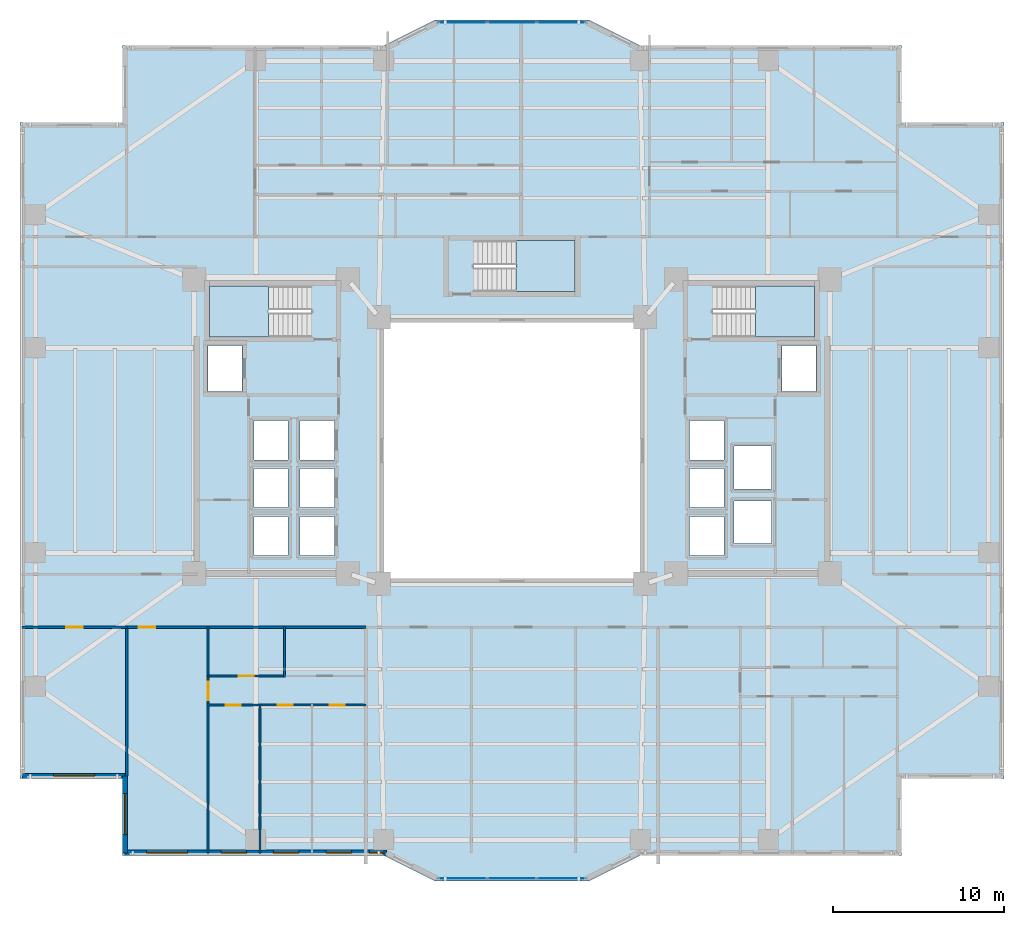
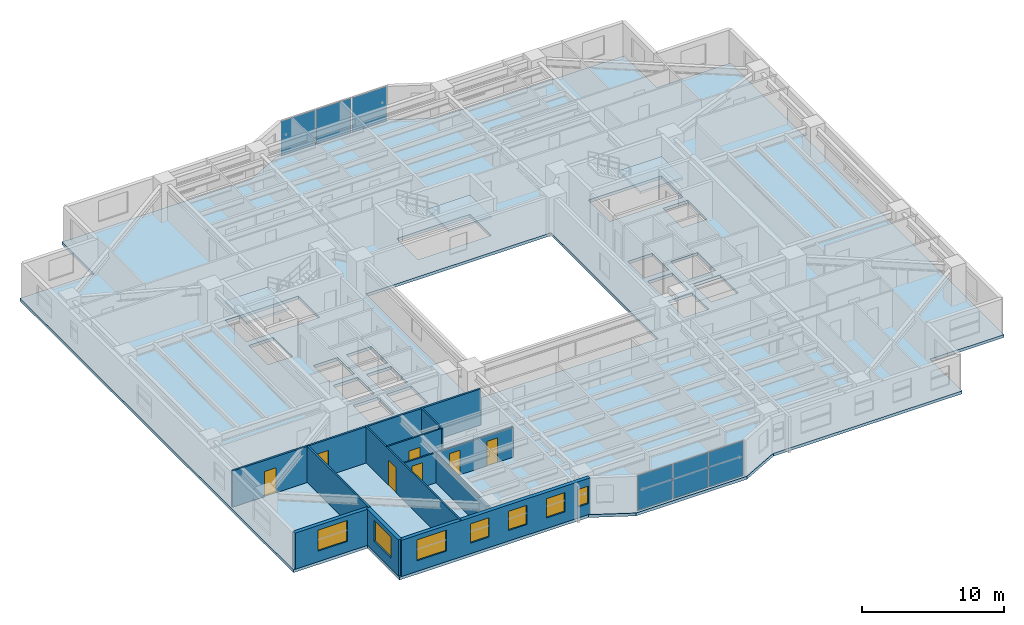
# One storey, part 9 of 20: 11 walls, 7 doors, 7 windows, 6 plates, 4 slabs, 14 openings, 5 elements without a shape of their own.
"""IFC4 building model written with IfcOpenShell, lengths in metres."""

from ifc_helpers import new_model, si_unit, direction, frame, frame_2d, origin, origin_2d, place, context, subcontext, project, spatial, polyline, rectangle, outline, extrude, material, layer, layer_set, type_object, element, fill, aggregate, save


model = new_model("IFC4")

# Units and contexts
model_context = context("Model", 3, precision=1e-05, world=origin(), true_north=direction((0.0, 1.0)))
body_context = subcontext(model_context, "Body", "Model", "MODEL_VIEW")
ifc_project = project(units=[si_unit("LENGTHUNIT", "METRE"), si_unit("AREAUNIT", "SQUARE_METRE"), si_unit("VOLUMEUNIT", "CUBIC_METRE"), si_unit("PLANEANGLEUNIT", "RADIAN"), si_unit("MASSUNIT", "GRAM", prefix="KILO")], contexts=[model_context])

# Site, building, storey
site_placement = place(None, origin())
site = spatial("IfcSite", under=ifc_project, at=site_placement, CompositionType="ELEMENT")
building_placement = place(site_placement, origin())
building = spatial("IfcBuilding", under=site, at=building_placement, Name="Tarnavaz Court Tower", CompositionType="ELEMENT")
storey_placement = place(building_placement, frame((0.0, 0.0, 30.699951171875)))
storey = spatial("IfcBuildingStorey", under=building, at=storey_placement, Name="L07", CompositionType="ELEMENT", Elevation=30.699951171875)

# Curtain wall, plates
ifc_material_1 = material(Name="Anodised Aluminium 6063-T6 and Solar Low-E Glazing", Category="aluminium")
ifc_layer_1 = layer(ifc_material_1, 0.179931640625)
ifc_layer_set_1 = layer_set([ifc_layer_1], Name="Anodised Aluminium 6063-T6 and Solar Low-E Glazing")
curtain_wall_type = type_object("IfcCurtainWallType", Name="CW-SYS-02", PredefinedType="NOTDEFINED", material=ifc_layer_set_1)
curtain_wall_1_placement = place(storey_placement, origin())
curtain_wall_1 = element("IfcCurtainWall", 1, at=curtain_wall_1_placement, inside=storey, type_object=curtain_wall_type, Name="L07 Iwan Prow Curtain Wall 7", PredefinedType="NOTDEFINED")
ifc_material_2 = material(Name="Double-Glazed Solar Low-E Glass", Category="glass")
ifc_layer_2 = layer(ifc_material_2, 0.028076171875)
ifc_layer_set_2 = layer_set([ifc_layer_2], Name="Double-Glazed Solar Low-E Glass")
plate_type = type_object("IfcPlateType", Name="CW-PAN-GLZ28", PredefinedType="CURTAIN_PANEL", material=ifc_layer_set_2)
plate_1_placement = place(storey_placement, frame((-2.88134765625, 25.050048828125, 0.06494140625), z_axis=(0.0, 0.0, 1.0), x_axis=(1.0, 0.0, 0.0)))
plate_1 = element("IfcPlate", 2, at=plate_1_placement, type_object=plate_type, Name="CW panel 1.1", PredefinedType="CURTAIN_PANEL", context=body_context, shape_type="SweptSolid", body=[
    extrude(rectangle(XDim=2.78759765625, YDim=0.028076171875, at=origin_2d()), origin(), (0.0, 0.0, 1.0), 2.969970703125),
])
plate_2_placement = place(storey_placement, frame((0.0, 25.050048828125, 0.06494140625), z_axis=(0.0, 0.0, 1.0), x_axis=(1.0, 0.0, 0.0)))
plate_2 = element("IfcPlate", 3, at=plate_2_placement, type_object=plate_type, Name="CW panel 2.1", PredefinedType="CURTAIN_PANEL", context=body_context, shape_type="SweptSolid", body=[
    extrude(rectangle(XDim=2.824951171875, YDim=0.028076171875, at=origin_2d()), origin(), (0.0, 0.0, 1.0), 2.969970703125),
])
plate_3_placement = place(storey_placement, frame((2.88134765625, 25.050048828125, 0.06494140625), z_axis=(0.0, 0.0, 1.0), x_axis=(1.0, 0.0, 0.0)))
plate_3 = element("IfcPlate", 4, at=plate_3_placement, type_object=plate_type, Name="CW panel 3.1", PredefinedType="CURTAIN_PANEL", context=body_context, shape_type="SweptSolid", body=[
    extrude(rectangle(XDim=2.78759765625, YDim=0.028076171875, at=origin_2d()), origin(), (0.0, 0.0, 1.0), 2.969970703125),
])
aggregate(curtain_wall_1, [plate_1, plate_2, plate_3])

curtain_wall_2_placement = place(storey_placement, origin())
curtain_wall_2 = element("IfcCurtainWall", 5, at=curtain_wall_2_placement, inside=storey, type_object=curtain_wall_type, Name="L07 Iwan Prow Curtain Wall 17", PredefinedType="NOTDEFINED")
plate_4_placement = place(storey_placement, frame((2.88134765625, -25.050048828125, 0.06494140625), z_axis=(0.0, 0.0, 1.0), x_axis=(-1.0, 0.0, 0.0)))
plate_4 = element("IfcPlate", 6, at=plate_4_placement, type_object=plate_type, Name="CW panel 1.1", PredefinedType="CURTAIN_PANEL", context=body_context, shape_type="SweptSolid", body=[
    extrude(rectangle(XDim=2.78759765625, YDim=0.028076171875, at=origin_2d()), origin(), (0.0, 0.0, 1.0), 2.969970703125),
])
plate_5_placement = place(storey_placement, frame((0.0, -25.050048828125, 0.06494140625), z_axis=(0.0, 0.0, 1.0), x_axis=(-1.0, 0.0, 0.0)))
plate_5 = element("IfcPlate", 7, at=plate_5_placement, type_object=plate_type, Name="CW panel 2.1", PredefinedType="CURTAIN_PANEL", context=body_context, shape_type="SweptSolid", body=[
    extrude(rectangle(XDim=2.824951171875, YDim=0.028076171875, at=origin_2d()), origin(), (0.0, 0.0, 1.0), 2.969970703125),
])
plate_6_placement = place(storey_placement, frame((-2.88134765625, -25.050048828125, 0.06494140625), z_axis=(0.0, 0.0, 1.0), x_axis=(-1.0, 0.0, 0.0)))
plate_6 = element("IfcPlate", 8, at=plate_6_placement, type_object=plate_type, Name="CW panel 3.1", PredefinedType="CURTAIN_PANEL", context=body_context, shape_type="SweptSolid", body=[
    extrude(rectangle(XDim=2.78759765625, YDim=0.028076171875, at=origin_2d()), origin(), (0.0, 0.0, 1.0), 2.969970703125),
])
aggregate(curtain_wall_2, [plate_4, plate_5, plate_6])

# Stair, slab
ifc_material_3 = material(Name="Concrete C40/50", Category="concrete")
stair_type = type_object("IfcStairType", Name="ST-TWR-20R", PredefinedType="HALF_TURN_STAIR", material=ifc_material_3)
stair_1_placement = place(storey_placement, origin())
stair_1 = element("IfcStair", 9, at=stair_1_placement, inside=storey, type_object=stair_type, Name="L07 West Core Pressurized Exit Stair ST-W1", PredefinedType="HALF_TURN_STAIR")
ifc_layer_3 = layer(ifc_material_3, 0.199951171875)
ifc_layer_set_3 = layer_set([ifc_layer_3], Name="Concrete C40/50")
slab_type_1 = type_object("IfcSlabType", Name="SL-LAND-200", PredefinedType="LANDING", material=ifc_layer_set_3)
slab_1_placement = place(storey_placement, frame((0.0, 0.0, 1.47509765625)))
slab_1 = element("IfcSlab", 10, at=slab_1_placement, type_object=slab_type_1, Name="ST-W1 landing 1", PredefinedType="LANDING", context=body_context, shape_type="SweptSolid", body=[
    extrude(outline(polyline([(-14.239990234375, 9.639892578125), (-17.699951171875, 9.639892578125), (-17.699951171875, 6.64990234375), (-14.239990234375, 6.64990234375), (-14.239990234375, 9.639892578125)])), origin(), (0.0, 0.0, 1.0), 0.199951171875),
])
aggregate(stair_1, [slab_1])

stair_2_placement = place(storey_placement, origin())
stair_2 = element("IfcStair", 11, at=stair_2_placement, inside=storey, type_object=stair_type, Name="L07 East Core Pressurized Exit Stair ST-E1", PredefinedType="HALF_TURN_STAIR")
slab_2_placement = place(storey_placement, frame((0.0, 0.0, 1.47509765625)))
slab_2 = element("IfcSlab", 12, at=slab_2_placement, type_object=slab_type_1, Name="ST-E1 landing 1", PredefinedType="LANDING", context=body_context, shape_type="SweptSolid", body=[
    extrude(outline(polyline([(14.239990234375, 6.64990234375), (17.699951171875, 6.64990234375), (17.699951171875, 9.639892578125), (14.239990234375, 9.639892578125), (14.239990234375, 6.64990234375)])), origin(), (0.0, 0.0, 1.0), 0.199951171875),
])
aggregate(stair_2, [slab_2])

stair_3_placement = place(storey_placement, origin())
stair_3 = element("IfcStair", 13, at=stair_3_placement, inside=storey, type_object=stair_type, Name="L07 North Ring Pressurized Exit Stair ST-N1", PredefinedType="HALF_TURN_STAIR")
slab_3_placement = place(storey_placement, frame((0.0, 0.0, 1.47509765625)))
slab_3 = element("IfcSlab", 14, at=slab_3_placement, type_object=slab_type_1, Name="ST-N1 landing 1", PredefinedType="LANDING", context=body_context, shape_type="SweptSolid", body=[
    extrude(outline(polyline([(0.239990234375, 9.300048828125), (3.699951171875, 9.300048828125), (3.699951171875, 12.2900390625), (0.239990234375, 12.2900390625), (0.239990234375, 9.300048828125)])), origin(), (0.0, 0.0, 1.0), 0.199951171875),
])
aggregate(stair_3, [slab_3])

# Slab
ifc_layer_4 = layer(ifc_material_3, 0.25)
ifc_layer_set_4 = layer_set([ifc_layer_4], Name="Concrete C40/50")
slab_type_2 = type_object("IfcSlabType", Name="SL-RES-250", PredefinedType="FLOOR", material=ifc_layer_set_4)
slab_4_placement = place(storey_placement, frame((0.0, 0.0, -0.25)))
element("IfcSlab", 15, at=slab_4_placement, inside=storey, type_object=slab_type_2, Name="L07 Structural Floor Slab", PredefinedType="FLOOR", context=body_context, shape_type="SweptSolid", body=[
    extrude(outline(polyline([(-22.800048828125, -23.699951171875), (-7.5, -23.699951171875), (-4.5, -25.199951171875), (4.5, -25.199951171875), (7.5, -23.699951171875), (22.800048828125, -23.699951171875), (22.800048828125, -19.199951171875), (28.800048828125, -19.199951171875), (28.800048828125, 19.199951171875), (22.800048828125, 19.199951171875), (22.800048828125, 23.699951171875), (7.5, 23.699951171875), (4.5, 25.199951171875), (-4.5, 25.199951171875), (-7.5, 23.699951171875), (-22.800048828125, 23.699951171875), (-22.800048828125, 19.199951171875), (-28.800048828125, 19.199951171875), (-28.800048828125, -19.199951171875), (-22.800048828125, -19.199951171875), (-22.800048828125, -23.699951171875)]), holes=[polyline([(-7.5, -7.5), (7.5, -7.5), (7.5, 7.5), (-7.5, 7.5), (-7.5, -7.5)]), polyline([(-11.7451171875, 9.639892578125), (-17.699951171875, 9.639892578125), (-17.699951171875, 6.64990234375), (-11.7451171875, 6.64990234375), (-11.7451171875, 9.639892578125)]), polyline([(11.7451171875, 6.64990234375), (17.699951171875, 6.64990234375), (17.699951171875, 9.639892578125), (11.7451171875, 9.639892578125), (11.7451171875, 6.64990234375)]), polyline([(-2.2548828125, 9.300048828125), (3.699951171875, 9.300048828125), (3.699951171875, 12.2900390625), (-2.2548828125, 12.2900390625), (-2.2548828125, 9.300048828125)]), polyline([(-17.800048828125, 3.449951171875), (-15.800048828125, 3.449951171875), (-15.800048828125, 6.14990234375), (-17.800048828125, 6.14990234375), (-17.800048828125, 3.449951171875)]), polyline([(-12.39990234375, -6.14990234375), (-10.39990234375, -6.14990234375), (-10.39990234375, -3.85009765625), (-12.39990234375, -3.85009765625), (-12.39990234375, -6.14990234375)]), polyline([(-12.39990234375, -3.35009765625), (-10.39990234375, -3.35009765625), (-10.39990234375, -1.050048828125), (-12.39990234375, -1.050048828125), (-12.39990234375, -3.35009765625)]), polyline([(-12.39990234375, -0.550048828125), (-10.39990234375, -0.550048828125), (-10.39990234375, 1.75), (-12.39990234375, 1.75), (-12.39990234375, -0.550048828125)]), polyline([(-15.10009765625, -6.14990234375), (-13.10009765625, -6.14990234375), (-13.10009765625, -3.85009765625), (-15.10009765625, -3.85009765625), (-15.10009765625, -6.14990234375)]), polyline([(-15.10009765625, -3.35009765625), (-13.10009765625, -3.35009765625), (-13.10009765625, -1.050048828125), (-15.10009765625, -1.050048828125), (-15.10009765625, -3.35009765625)]), polyline([(-15.10009765625, -0.550048828125), (-13.10009765625, -0.550048828125), (-13.10009765625, 1.75), (-15.10009765625, 1.75), (-15.10009765625, -0.550048828125)]), polyline([(15.800048828125, 3.449951171875), (17.800048828125, 3.449951171875), (17.800048828125, 6.14990234375), (15.800048828125, 6.14990234375), (15.800048828125, 3.449951171875)]), polyline([(10.39990234375, -6.14990234375), (12.39990234375, -6.14990234375), (12.39990234375, -3.85009765625), (10.39990234375, -3.85009765625), (10.39990234375, -6.14990234375)]), polyline([(10.39990234375, -3.35009765625), (12.39990234375, -3.35009765625), (12.39990234375, -1.050048828125), (10.39990234375, -1.050048828125), (10.39990234375, -3.35009765625)]), polyline([(10.39990234375, -0.550048828125), (12.39990234375, -0.550048828125), (12.39990234375, 1.75), (10.39990234375, 1.75), (10.39990234375, -0.550048828125)]), polyline([(13.0, -5.449951171875), (15.199951171875, -5.449951171875), (15.199951171875, -2.949951171875), (13.0, -2.949951171875), (13.0, -5.449951171875)]), polyline([(13.0, -2.25), (15.199951171875, -2.25), (15.199951171875, 0.25), (13.0, 0.25), (13.0, -2.25)])]), origin(), (0.0, 0.0, 1.0), 0.25),
])

# Wall, opening, window
ifc_material_4 = material(Name="Precast Concrete C40/50", Category="concrete")
ifc_layer_5 = layer(ifc_material_4, 0.300048828125)
ifc_layer_set_5 = layer_set([ifc_layer_5], Name="Precast Concrete C40/50")
wall_type_1 = type_object("IfcWallType", Name="WL-EXT-300", PredefinedType="SOLIDWALL", material=ifc_layer_set_5)
wall_1_placement = place(storey_placement, frame((-22.64990234375, -19.050048828125, 0.0), z_axis=(0.0, 0.0, 1.0), x_axis=(-1.0, 0.0, 0.0)))
wall_1 = element("IfcWall", 16, at=wall_1_placement, inside=storey, type_object=wall_type_1, Name="L07 Exterior Terracotta Facade Wall 01", PredefinedType="SOLIDWALL", context=body_context, shape_type="SweptSolid", body=[
    extrude(rectangle(XDim=6.0, YDim=0.300048828125, at=frame_2d((3.0, 0.0))), origin(), (0.0, 0.0, 1.0), 3.10009765625),
])
opening_1_placement = place(wall_1_placement, frame((1.77490234375, 0.0, 0.89990234375)))
opening_1 = element("IfcOpeningElement", 17, at=opening_1_placement, cuts=wall_1, Name="Opening W06", PredefinedType="OPENING", context=body_context, shape_type="SweptSolid", body=[
    extrude(rectangle(XDim=2.39990234375, YDim=1.800048828125, at=frame_2d((1.199951171875, 0.89990234375))), frame((0.0, 0.159912109375, 0.0), z_axis=(0.0, -1.0, 0.0), x_axis=(1.0, 0.0, 0.0)), (0.0, 0.0, 1.0), 0.320068359375),
])
window_type_1 = type_object("IfcWindowType", Name="WN-APT-2400", PartitioningType="TRIPLE_PANEL_VERTICAL", PredefinedType="WINDOW", material=ifc_material_2)
window_1_placement = place(opening_1_placement, origin())
window_1 = element("IfcWindow", 18, at=window_1_placement, inside=storey, type_object=window_type_1, Name="L07 South-West Corner Reading Room Window", OverallHeight=1.800048828125, OverallWidth=2.39990234375, PartitioningType="SINGLE_PANEL", PredefinedType="WINDOW", context=body_context, shape_type="SweptSolid", body=[
    extrude(rectangle(XDim=2.39990234375, YDim=1.800048828125, at=frame_2d((1.199951171875, 0.89990234375))), frame((0.0, 0.030029296875, 0.0), z_axis=(0.0, -1.0, 0.0), x_axis=(1.0, 0.0, 0.0)), (0.0, 0.0, 1.0), 0.06005859375),
])
fill(opening_1, window_1)

# Wall, openings, windows
wall_2_placement = place(storey_placement, frame((-7.35009765625, -23.550048828125, 0.0), z_axis=(0.0, 0.0, 1.0), x_axis=(-1.0, 0.0, 0.0)))
wall_2 = element("IfcWall", 19, at=wall_2_placement, inside=storey, type_object=wall_type_1, Name="L07 Exterior Terracotta Facade Wall 19", PredefinedType="SOLIDWALL", context=body_context, shape_type="SweptSolid", body=[
    extrude(rectangle(XDim=15.2998046875, YDim=0.300048828125, at=frame_2d((7.64990234375, 0.0))), origin(), (0.0, 0.0, 1.0), 3.10009765625),
])
opening_2_placement = place(wall_2_placement, frame((0.146728515625, 0.0, 0.949951171875)))
opening_2 = element("IfcOpeningElement", 20, at=opening_2_placement, cuts=wall_2, Name="Opening W15", PredefinedType="OPENING", context=body_context, shape_type="SweptSolid", body=[
    extrude(rectangle(XDim=0.85009765625, YDim=1.5, at=frame_2d((0.425048828125, 0.75))), frame((0.0, 0.159912109375, 0.0), z_axis=(0.0, -1.0, 0.0), x_axis=(1.0, 0.0, 0.0)), (0.0, 0.0, 1.0), 0.320068359375),
])
opening_3_placement = place(wall_2_placement, frame((2.0341796875, 0.0, 0.89990234375)))
opening_3 = element("IfcOpeningElement", 21, at=opening_3_placement, cuts=wall_2, Name="Opening W03", PredefinedType="OPENING", context=body_context, shape_type="SweptSolid", body=[
    extrude(rectangle(XDim=1.5, YDim=1.64990234375, at=frame_2d((0.75, 0.824951171875))), frame((0.0, 0.159912109375, 0.0), z_axis=(0.0, -1.0, 0.0), x_axis=(1.0, 0.0, 0.0)), (0.0, 0.0, 1.0), 0.320068359375),
])
opening_4_placement = place(wall_2_placement, frame((5.119140625, 0.0, 0.89990234375)))
opening_4 = element("IfcOpeningElement", 22, at=opening_4_placement, cuts=wall_2, Name="Opening W03", PredefinedType="OPENING", context=body_context, shape_type="SweptSolid", body=[
    extrude(rectangle(XDim=1.5, YDim=1.64990234375, at=frame_2d((0.75, 0.824951171875))), frame((0.0, 0.159912109375, 0.0), z_axis=(0.0, -1.0, 0.0), x_axis=(1.0, 0.0, 0.0)), (0.0, 0.0, 1.0), 0.320068359375),
])
opening_5_placement = place(wall_2_placement, frame((8.17919921875, 0.0, 0.89990234375)))
opening_5 = element("IfcOpeningElement", 23, at=opening_5_placement, cuts=wall_2, Name="Opening W03", PredefinedType="OPENING", context=body_context, shape_type="SweptSolid", body=[
    extrude(rectangle(XDim=1.5, YDim=1.64990234375, at=frame_2d((0.75, 0.824951171875))), frame((0.0, 0.159912109375, 0.0), z_axis=(0.0, -1.0, 0.0), x_axis=(1.0, 0.0, 0.0)), (0.0, 0.0, 1.0), 0.320068359375),
])
opening_6_placement = place(wall_2_placement, frame((11.64208984375, 0.0, 0.89990234375)))
opening_6 = element("IfcOpeningElement", 24, at=opening_6_placement, cuts=wall_2, Name="Opening W06", PredefinedType="OPENING", context=body_context, shape_type="SweptSolid", body=[
    extrude(rectangle(XDim=2.39990234375, YDim=1.800048828125, at=frame_2d((1.199951171875, 0.89990234375))), frame((0.0, 0.159912109375, 0.0), z_axis=(0.0, -1.0, 0.0), x_axis=(1.0, 0.0, 0.0)), (0.0, 0.0, 1.0), 0.320068359375),
])
window_type_2 = type_object("IfcWindowType", Name="WN-APT-1500", PartitioningType="DOUBLE_PANEL_VERTICAL", PredefinedType="WINDOW", material=ifc_material_2)
window_2_placement = place(opening_3_placement, origin())
window_2 = element("IfcWindow", 25, at=window_2_placement, inside=storey, type_object=window_type_2, Name="L07 Flat 03 Bedroom 3 Window", OverallHeight=1.64990234375, OverallWidth=1.5, PartitioningType="SINGLE_PANEL", PredefinedType="WINDOW", context=body_context, shape_type="SweptSolid", body=[
    extrude(rectangle(XDim=1.5, YDim=1.64990234375, at=frame_2d((0.75, 0.824951171875))), frame((0.0, 0.030029296875, 0.0), z_axis=(0.0, -1.0, 0.0), x_axis=(1.0, 0.0, 0.0)), (0.0, 0.0, 1.0), 0.06005859375),
])
fill(opening_3, window_2)
window_3_placement = place(opening_4_placement, origin())
window_3 = element("IfcWindow", 26, at=window_3_placement, inside=storey, type_object=window_type_2, Name="L07 Flat 03 Bedroom 2 Window", OverallHeight=1.64990234375, OverallWidth=1.5, PartitioningType="SINGLE_PANEL", PredefinedType="WINDOW", context=body_context, shape_type="SweptSolid", body=[
    extrude(rectangle(XDim=1.5, YDim=1.64990234375, at=frame_2d((0.75, 0.824951171875))), frame((0.0, 0.030029296875, 0.0), z_axis=(0.0, -1.0, 0.0), x_axis=(1.0, 0.0, 0.0)), (0.0, 0.0, 1.0), 0.06005859375),
])
fill(opening_4, window_3)
window_4_placement = place(opening_5_placement, origin())
window_4 = element("IfcWindow", 27, at=window_4_placement, inside=storey, type_object=window_type_2, Name="L07 Flat 03 Principal Bedroom Window", OverallHeight=1.64990234375, OverallWidth=1.5, PartitioningType="SINGLE_PANEL", PredefinedType="WINDOW", context=body_context, shape_type="SweptSolid", body=[
    extrude(rectangle(XDim=1.5, YDim=1.64990234375, at=frame_2d((0.75, 0.824951171875))), frame((0.0, 0.030029296875, 0.0), z_axis=(0.0, -1.0, 0.0), x_axis=(1.0, 0.0, 0.0)), (0.0, 0.0, 1.0), 0.06005859375),
])
fill(opening_5, window_4)
window_5_placement = place(opening_6_placement, origin())
window_5 = element("IfcWindow", 28, at=window_5_placement, inside=storey, type_object=window_type_1, Name="L07 Flat 03 Living and Dining Room Window", OverallHeight=1.800048828125, OverallWidth=2.39990234375, PartitioningType="SINGLE_PANEL", PredefinedType="WINDOW", context=body_context, shape_type="SweptSolid", body=[
    extrude(rectangle(XDim=2.39990234375, YDim=1.800048828125, at=frame_2d((1.199951171875, 0.89990234375))), frame((0.0, 0.030029296875, 0.0), z_axis=(0.0, -1.0, 0.0), x_axis=(1.0, 0.0, 0.0)), (0.0, 0.0, 1.0), 0.06005859375),
])
fill(opening_6, window_5)
window_type_3 = type_object("IfcWindowType", Name="WN-APT-850", PartitioningType="SINGLE_PANEL", PredefinedType="WINDOW", material=ifc_material_2)
window_6_placement = place(opening_2_placement, origin())
window_6 = element("IfcWindow", 29, at=window_6_placement, inside=storey, type_object=window_type_3, Name="L07 Resident Fitness and Yoga Studio Window", OverallHeight=1.5, OverallWidth=0.85009765625, PartitioningType="SINGLE_PANEL", PredefinedType="WINDOW", context=body_context, shape_type="SweptSolid", body=[
    extrude(rectangle(XDim=0.85009765625, YDim=1.5, at=frame_2d((0.425048828125, 0.75))), frame((0.0, 0.030029296875, 0.0), z_axis=(0.0, -1.0, 0.0), x_axis=(1.0, 0.0, 0.0)), (0.0, 0.0, 1.0), 0.06005859375),
])
fill(opening_2, window_6)

# Wall, opening, window
wall_3_placement = place(storey_placement, frame((-22.64990234375, -23.550048828125, 0.0), z_axis=(0.0, 0.0, 1.0), x_axis=(0.0, 1.0, 0.0)))
wall_3 = element("IfcWall", 30, at=wall_3_placement, inside=storey, type_object=wall_type_1, Name="L07 Exterior Terracotta Facade Wall 20", PredefinedType="SOLIDWALL", context=body_context, shape_type="SweptSolid", body=[
    extrude(rectangle(XDim=4.5, YDim=0.300048828125, at=frame_2d((2.25, 0.0))), origin(), (0.0, 0.0, 1.0), 3.10009765625),
])
opening_7_placement = place(wall_3_placement, frame((1.0673828125, 0.0, 0.89990234375)))
opening_7 = element("IfcOpeningElement", 31, at=opening_7_placement, cuts=wall_3, Name="Opening W06", PredefinedType="OPENING", context=body_context, shape_type="SweptSolid", body=[
    extrude(rectangle(XDim=2.39990234375, YDim=1.800048828125, at=frame_2d((1.199951171875, 0.89990234375))), frame((0.0, 0.159912109375, 0.0), z_axis=(0.0, -1.0, 0.0), x_axis=(1.0, 0.0, 0.0)), (0.0, 0.0, 1.0), 0.320068359375),
])
window_7_placement = place(opening_7_placement, origin())
window_7 = element("IfcWindow", 32, at=window_7_placement, inside=storey, type_object=window_type_1, Name="L07 Flat 03 Living and Dining Room Window", OverallHeight=1.800048828125, OverallWidth=2.39990234375, PartitioningType="SINGLE_PANEL", PredefinedType="WINDOW", context=body_context, shape_type="SweptSolid", body=[
    extrude(rectangle(XDim=2.39990234375, YDim=1.800048828125, at=frame_2d((1.199951171875, 0.89990234375))), frame((0.0, 0.030029296875, 0.0), z_axis=(0.0, -1.0, 0.0), x_axis=(1.0, 0.0, 0.0)), (0.0, 0.0, 1.0), 0.06005859375),
])
fill(opening_7, window_7)

# Wall, opening, door
ifc_material_5 = material(Name="Gypsum Fire-Board on Acoustic Metal Stud", Category="masonry")
ifc_layer_6 = layer(ifc_material_5, 0.14990234375)
ifc_layer_set_6 = layer_set([ifc_layer_6], Name="Gypsum Fire-Board on Acoustic Metal Stud")
wall_type_2 = type_object("IfcWallType", Name="WL-FIRE-150", PredefinedType="PARTITIONING", material=ifc_layer_set_6)
wall_4_placement = place(storey_placement, frame((-22.550048828125, -10.35009765625, 0.0), z_axis=(0.0, 0.0, 1.0), x_axis=(1.0, 0.0, 0.0)))
wall_4 = element("IfcWall", 33, at=wall_4_placement, inside=storey, type_object=wall_type_2, Name="L07 SW Corridor Wall 084", PredefinedType="PARTITIONING", context=body_context, shape_type="SweptSolid", body=[
    extrude(rectangle(XDim=14.0, YDim=0.14990234375, at=frame_2d((7.0, 0.0))), origin(), (0.0, 0.0, 1.0), 3.10009765625),
])
opening_8_placement = place(wall_4_placement, frame((0.699951171875, 0.0, 0.0)))
opening_8 = element("IfcOpeningElement", 34, at=opening_8_placement, cuts=wall_4, Name="Opening D06", PredefinedType="OPENING", context=body_context, shape_type="SweptSolid", body=[
    extrude(rectangle(XDim=0.9599609375, YDim=2.14990234375, at=frame_2d((0.47998046875, 1.074951171875))), frame((0.0, 0.0849609375, 0.0), z_axis=(0.0, -1.0, 0.0), x_axis=(1.0, 0.0, 0.0)), (0.0, 0.0, 1.0), 0.169921875),
])
ifc_material_6 = material(Name="Fire-Rated Hardwood Timber Core", Category="wood")
door_type_1 = type_object("IfcDoorType", Name="DR-FD60-950", OperationType="NOTDEFINED", PredefinedType="DOOR", material=ifc_material_6)
door_1_placement = place(opening_8_placement, origin())
door_1 = element("IfcDoor", 35, at=door_1_placement, inside=storey, type_object=door_type_1, Name="L07 Flat 03 Entrance Door", OperationType="SINGLE_SWING_RIGHT", OverallHeight=2.14990234375, OverallWidth=0.9599609375, PredefinedType="DOOR", context=body_context, shape_type="SweptSolid", body=[
    extrude(rectangle(XDim=0.9599609375, YDim=2.14990234375, at=frame_2d((0.47998046875, 1.074951171875))), frame((0.0, 0.02490234375, 0.0), z_axis=(0.0, -1.0, 0.0), x_axis=(1.0, 0.0, 0.0)), (0.0, 0.0, 1.0), 0.050048828125),
])
fill(opening_8, door_1)

wall_5_placement = place(storey_placement, frame((-28.679931640625, -10.35009765625, 0.0), z_axis=(0.0, 0.0, 1.0), x_axis=(1.0, 0.0, 0.0)))
wall_5 = element("IfcWall", 36, at=wall_5_placement, inside=storey, type_object=wall_type_2, Name="L07 Interior Partition 131", PredefinedType="PARTITIONING", context=body_context, shape_type="SweptSolid", body=[
    extrude(rectangle(XDim=6.1298828125, YDim=0.14990234375, at=frame_2d((3.06494140625, 0.0))), origin(), (0.0, 0.0, 1.0), 3.10009765625),
])
opening_9_placement = place(wall_5_placement, frame((2.590087890625, 0.0, 0.0)))
opening_9 = element("IfcOpeningElement", 37, at=opening_9_placement, cuts=wall_5, Name="Opening D13", PredefinedType="OPENING", context=body_context, shape_type="SweptSolid", body=[
    extrude(rectangle(XDim=0.949951171875, YDim=2.14990234375, at=frame_2d((0.47509765625, 1.074951171875))), frame((0.0, 0.0849609375, 0.0), z_axis=(0.0, -1.0, 0.0), x_axis=(1.0, 0.0, 0.0)), (0.0, 0.0, 1.0), 0.169921875),
])
ifc_material_7 = material(Name="Engineered Oak Timber", Category="wood")
door_type_2 = type_object("IfcDoorType", Name="DR-INT-950", OperationType="NOTDEFINED", PredefinedType="DOOR", material=ifc_material_7)
door_2_placement = place(opening_9_placement, origin())
door_2 = element("IfcDoor", 38, at=door_2_placement, inside=storey, type_object=door_type_2, Name="L07 SW Reading Room Door", OperationType="SINGLE_SWING_LEFT", OverallHeight=2.14990234375, OverallWidth=0.949951171875, PredefinedType="DOOR", context=body_context, shape_type="SweptSolid", body=[
    extrude(rectangle(XDim=0.949951171875, YDim=2.14990234375, at=frame_2d((0.47509765625, 1.074951171875))), frame((0.0, 0.02490234375, 0.0), z_axis=(0.0, -1.0, 0.0), x_axis=(1.0, 0.0, 0.0)), (0.0, 0.0, 1.0), 0.050048828125),
])
fill(opening_9, door_2)

ifc_material_8 = material(Name="Moisture-Resistant Gypsum Board Partition", Category="masonry")
ifc_layer_7 = layer(ifc_material_8, 0.1201171875)
ifc_layer_set_7 = layer_set([ifc_layer_7], Name="Moisture-Resistant Gypsum Board Partition")
wall_type_3 = type_object("IfcWallType", Name="WL-PART-120", PredefinedType="PARTITIONING", material=ifc_layer_set_7)
wall_6_placement = place(storey_placement, frame((-17.7880859375, -23.60009765625, 0.0), z_axis=(0.0, 0.0, 1.0), x_axis=(0.0, 1.0, 0.0)))
wall_6 = element("IfcWall", 39, at=wall_6_placement, inside=storey, type_object=wall_type_3, Name="L07 Interior Partition 103", PredefinedType="PARTITIONING", context=body_context, shape_type="SweptSolid", body=[
    extrude(rectangle(XDim=13.31005859375, YDim=0.1201171875, at=frame_2d((6.655029296875, 0.0))), origin(), (0.0, 0.0, 1.0), 3.10009765625),
])
opening_10_placement = place(wall_6_placement, frame((8.97509765625, 0.0, 0.0)))
opening_10 = element("IfcOpeningElement", 40, at=opening_10_placement, cuts=wall_6, Name="Opening D12", PredefinedType="OPENING", context=body_context, shape_type="SweptSolid", body=[
    extrude(rectangle(XDim=1.080078125, YDim=2.14990234375, at=frame_2d((0.5400390625, 1.074951171875))), frame((0.0, 0.070068359375, 0.0), z_axis=(0.0, -1.0, 0.0), x_axis=(1.0, 0.0, 0.0)), (0.0, 0.0, 1.0), 0.14013671875),
])
door_type_3 = type_object("IfcDoorType", Name="DR-INT-1100", OperationType="NOTDEFINED", PredefinedType="DOOR", material=ifc_material_7)
door_3_placement = place(opening_10_placement, origin())
door_3 = element("IfcDoor", 41, at=door_3_placement, inside=storey, type_object=door_type_3, Name="L07 Flat 03 Foyer Door", OperationType="SINGLE_SWING_LEFT", OverallHeight=2.14990234375, OverallWidth=1.080078125, PredefinedType="DOOR", context=body_context, shape_type="SweptSolid", body=[
    extrude(rectangle(XDim=1.080078125, YDim=2.14990234375, at=frame_2d((0.5400390625, 1.074951171875))), frame((0.0, 0.02490234375, 0.0), z_axis=(0.0, -1.0, 0.0), x_axis=(1.0, 0.0, 0.0)), (0.0, 0.0, 1.0), 0.050048828125),
])
fill(opening_10, door_3)

wall_7_placement = place(storey_placement, frame((-17.7880859375, -13.199951171875, 0.0), z_axis=(0.0, 0.0, 1.0), x_axis=(1.0, 0.0, 0.0)))
wall_7 = element("IfcWall", 42, at=wall_7_placement, inside=storey, type_object=wall_type_3, Name="L07 Interior Partition 104", PredefinedType="PARTITIONING", context=body_context, shape_type="SweptSolid", body=[
    extrude(rectangle(XDim=4.47314453125, YDim=0.1201171875, at=frame_2d((2.236572265625, 0.0))), origin(), (0.0, 0.0, 1.0), 3.10009765625),
])
opening_11_placement = place(wall_7_placement, frame((1.797119140625, 0.0, 0.0)))
opening_11 = element("IfcOpeningElement", 43, at=opening_11_placement, cuts=wall_7, Name="Opening D14", PredefinedType="OPENING", context=body_context, shape_type="SweptSolid", body=[
    extrude(rectangle(XDim=0.8798828125, YDim=2.10009765625, at=frame_2d((0.43994140625, 1.050048828125))), frame((0.0, 0.070068359375, 0.0), z_axis=(0.0, -1.0, 0.0), x_axis=(1.0, 0.0, 0.0)), (0.0, 0.0, 1.0), 0.14013671875),
])
door_type_4 = type_object("IfcDoorType", Name="DR-INT-900", OperationType="NOTDEFINED", PredefinedType="DOOR", material=ifc_material_7)
door_4_placement = place(opening_11_placement, origin())
door_4 = element("IfcDoor", 44, at=door_4_placement, inside=storey, type_object=door_type_4, Name="L07 Flat 03 Kitchen Door", OperationType="SINGLE_SWING_RIGHT", OverallHeight=2.10009765625, OverallWidth=0.8798828125, PredefinedType="DOOR", context=body_context, shape_type="SweptSolid", body=[
    extrude(rectangle(XDim=0.8798828125, YDim=2.10009765625, at=frame_2d((0.43994140625, 1.050048828125))), frame((0.0, 0.02490234375, 0.0), z_axis=(0.0, -1.0, 0.0), x_axis=(1.0, 0.0, 0.0)), (0.0, 0.0, 1.0), 0.050048828125),
])
fill(opening_11, door_4)

# Wall, openings, doors
wall_8_placement = place(storey_placement, frame((-17.847900390625, -14.909912109375, 0.0), z_axis=(0.0, 0.0, 1.0), x_axis=(1.0, 0.0, 0.0)))
wall_8 = element("IfcWall", 45, at=wall_8_placement, inside=storey, type_object=wall_type_3, Name="L07 Interior Partition 106", PredefinedType="PARTITIONING", context=body_context, shape_type="SweptSolid", body=[
    extrude(rectangle(XDim=9.307861328125, YDim=0.1201171875, at=frame_2d((4.65380859375, 0.0))), origin(), (0.0, 0.0, 1.0), 2.5849609375),
])
opening_12_placement = place(wall_8_placement, frame((1.0810546875, 0.0, 0.0)))
opening_12 = element("IfcOpeningElement", 46, at=opening_12_placement, cuts=wall_8, Name="Opening D14", PredefinedType="OPENING", context=body_context, shape_type="SweptSolid", body=[
    extrude(rectangle(XDim=0.8798828125, YDim=2.10009765625, at=frame_2d((0.43994140625, 1.050048828125))), frame((0.0, 0.070068359375, 0.0), z_axis=(0.0, -1.0, 0.0), x_axis=(1.0, 0.0, 0.0)), (0.0, 0.0, 1.0), 0.14013671875),
])
opening_13_placement = place(wall_8_placement, frame((4.1240234375, 0.0, 0.0)))
opening_13 = element("IfcOpeningElement", 47, at=opening_13_placement, cuts=wall_8, Name="Opening D14", PredefinedType="OPENING", context=body_context, shape_type="SweptSolid", body=[
    extrude(rectangle(XDim=0.8798828125, YDim=2.10009765625, at=frame_2d((0.43994140625, 1.050048828125))), frame((0.0, 0.070068359375, 0.0), z_axis=(0.0, -1.0, 0.0), x_axis=(1.0, 0.0, 0.0)), (0.0, 0.0, 1.0), 0.14013671875),
])
opening_14_placement = place(wall_8_placement, frame((7.1669921875, 0.0, 0.0)))
opening_14 = element("IfcOpeningElement", 48, at=opening_14_placement, cuts=wall_8, Name="Opening D14", PredefinedType="OPENING", context=body_context, shape_type="SweptSolid", body=[
    extrude(rectangle(XDim=0.8798828125, YDim=2.10009765625, at=frame_2d((0.43994140625, 1.050048828125))), frame((0.0, 0.070068359375, 0.0), z_axis=(0.0, -1.0, 0.0), x_axis=(1.0, 0.0, 0.0)), (0.0, 0.0, 1.0), 0.14013671875),
])
door_5_placement = place(opening_12_placement, origin())
door_5 = element("IfcDoor", 49, at=door_5_placement, inside=storey, type_object=door_type_4, Name="L07 Flat 03 Bedroom 1 Door", OperationType="SINGLE_SWING_RIGHT", OverallHeight=2.10009765625, OverallWidth=0.8798828125, PredefinedType="DOOR", context=body_context, shape_type="SweptSolid", body=[
    extrude(rectangle(XDim=0.8798828125, YDim=2.10009765625, at=frame_2d((0.43994140625, 1.050048828125))), frame((0.0, 0.02490234375, 0.0), z_axis=(0.0, -1.0, 0.0), x_axis=(1.0, 0.0, 0.0)), (0.0, 0.0, 1.0), 0.050048828125),
])
fill(opening_12, door_5)
door_6_placement = place(opening_13_placement, origin())
door_6 = element("IfcDoor", 50, at=door_6_placement, inside=storey, type_object=door_type_4, Name="L07 Flat 03 Bedroom 2 Door", OperationType="SINGLE_SWING_LEFT", OverallHeight=2.10009765625, OverallWidth=0.8798828125, PredefinedType="DOOR", context=body_context, shape_type="SweptSolid", body=[
    extrude(rectangle(XDim=0.8798828125, YDim=2.10009765625, at=frame_2d((0.43994140625, 1.050048828125))), frame((0.0, 0.02490234375, 0.0), z_axis=(0.0, -1.0, 0.0), x_axis=(1.0, 0.0, 0.0)), (0.0, 0.0, 1.0), 0.050048828125),
])
fill(opening_13, door_6)
door_7_placement = place(opening_14_placement, origin())
door_7 = element("IfcDoor", 51, at=door_7_placement, inside=storey, type_object=door_type_4, Name="L07 Flat 03 Bedroom 3 Door", OperationType="SINGLE_SWING_RIGHT", OverallHeight=2.10009765625, OverallWidth=0.8798828125, PredefinedType="DOOR", context=body_context, shape_type="SweptSolid", body=[
    extrude(rectangle(XDim=0.8798828125, YDim=2.10009765625, at=frame_2d((0.43994140625, 1.050048828125))), frame((0.0, 0.02490234375, 0.0), z_axis=(0.0, -1.0, 0.0), x_axis=(1.0, 0.0, 0.0)), (0.0, 0.0, 1.0), 0.050048828125),
])
fill(opening_14, door_7)

# Walls
wall_9_placement = place(storey_placement, frame((-13.31494140625, -13.260009765625, 0.0), z_axis=(0.0, 0.0, 1.0), x_axis=(0.0, 1.0, 0.0)))
element("IfcWall", 52, at=wall_9_placement, inside=storey, type_object=wall_type_3, Name="L07 Interior Partition 107", PredefinedType="PARTITIONING", context=body_context, shape_type="SweptSolid", body=[
    extrude(rectangle(XDim=2.969970703125, YDim=0.1201171875, at=frame_2d((1.48486328125, 0.0))), origin(), (0.0, 0.0, 1.0), 3.10009765625),
])
wall_10_placement = place(storey_placement, frame((-14.7451171875, -23.60009765625, 0.0), z_axis=(0.0, 0.0, 1.0), x_axis=(0.0, 1.0, 0.0)))
element("IfcWall", 53, at=wall_10_placement, inside=storey, type_object=wall_type_3, Name="L07 Interior Partition 108", PredefinedType="PARTITIONING", context=body_context, shape_type="SweptSolid", body=[
    extrude(rectangle(XDim=8.75, YDim=0.1201171875, at=frame_2d((4.375, 0.0))), origin(), (0.0, 0.0, 1.0), 2.43505859375),
])
ifc_material_9 = material(Name="Gypsum Plasterboard Acoustic Partition", Category="masonry")
ifc_layer_8 = layer(ifc_material_9, 0.139892578125)
ifc_layer_set_8 = layer_set([ifc_layer_8], Name="Gypsum Plasterboard Acoustic Partition")
wall_type_4 = type_object("IfcWallType", Name="WL-PART-150", PredefinedType="PARTITIONING", material=ifc_layer_set_8)
wall_11_placement = place(storey_placement, frame((-22.550048828125, -19.050048828125, 0.0), z_axis=(0.0, 0.0, 1.0), x_axis=(0.0, 1.0, 0.0)))
element("IfcWall", 54, at=wall_11_placement, inside=storey, type_object=wall_type_4, Name="L07 Interior Partition 125", PredefinedType="PARTITIONING", context=body_context, shape_type="SweptSolid", body=[
    extrude(rectangle(XDim=8.699951171875, YDim=0.139892578125, at=frame_2d((4.35009765625, 0.0))), origin(), (0.0, 0.0, 1.0), 3.10009765625),
])

save(model, "model.ifc")
